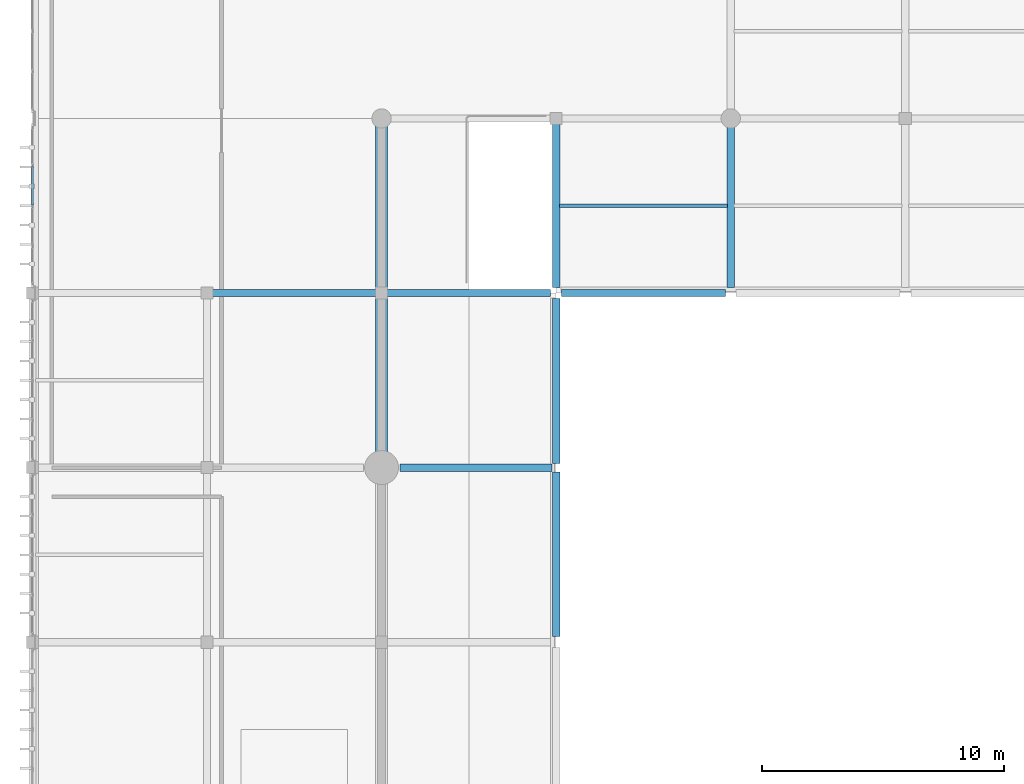
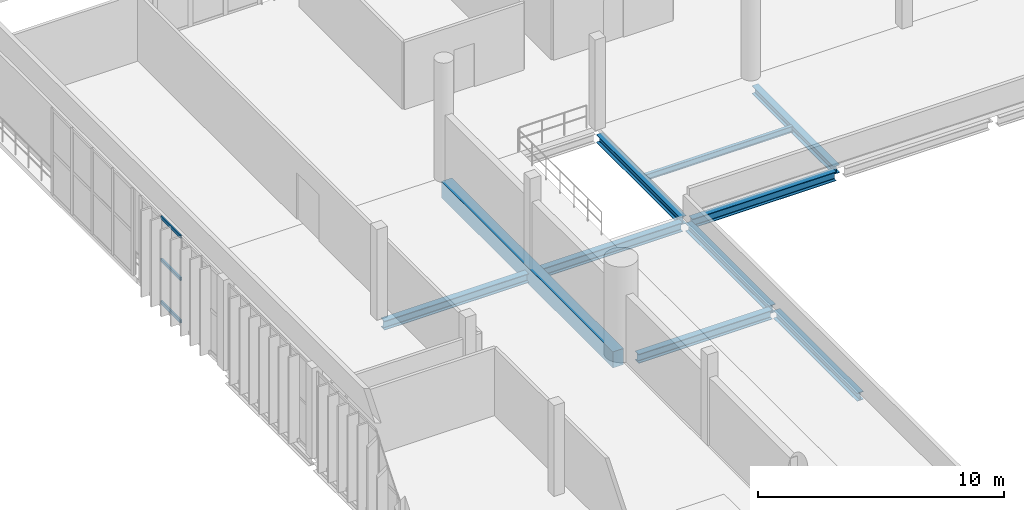
# One storey, part 28 of 64: 10 beams, 3 members, 1 element without a shape of its own.
"""IFC4 building model written with IfcOpenShell, lengths in metres."""

from ifc_helpers import new_model, si_unit, direction, frame, origin, origin_2d, place, context, subcontext, project, spatial, rectangle, hollow_rectangle, i_section, extrude, material, material_profile, profile_set, type_object, element, aggregate, save


model = new_model("IFC4")

# Units and contexts
model_context = context("Model", 3, precision=1e-05, world=origin(), true_north=direction((0.0, 1.0)))
body_context = subcontext(model_context, "Body", "Model", "MODEL_VIEW")
ifc_project = project(units=[si_unit("LENGTHUNIT", "METRE"), si_unit("AREAUNIT", "SQUARE_METRE"), si_unit("VOLUMEUNIT", "CUBIC_METRE"), si_unit("PLANEANGLEUNIT", "RADIAN"), si_unit("MASSUNIT", "GRAM", prefix="KILO")], contexts=[model_context])

# Site, building, storey
site_placement = place(None, origin())
site = spatial("IfcSite", under=ifc_project, at=site_placement, CompositionType="ELEMENT")
building_placement = place(site_placement, origin())
building = spatial("IfcBuilding", under=site, at=building_placement, Name="Qandorah Velis Arena", CompositionType="ELEMENT")
storey_placement = place(building_placement, frame((0.0, 0.0, 23.0)))
storey = spatial("IfcBuildingStorey", under=building, at=storey_placement, Name="L05", CompositionType="ELEMENT", Elevation=23.0)

# Curtain wall, members
ifc_material_1 = material(Name="Solar-control low-E double glazing", Category="glass")
curtain_wall_type = type_object("IfcCurtainWallType", Name="ARC-CW-SYS05", PredefinedType="USERDEFINED", material=ifc_material_1)
curtain_wall_placement = place(storey_placement, origin())
curtain_wall = element("IfcCurtainWall", 1, at=curtain_wall_placement, inside=storey, type_object=curtain_wall_type, Name="Unitised curtain wall L05-053", ObjectType="UNITISED CURTAIN WALL", PredefinedType="USERDEFINED")
ifc_material_2 = material(Name="Champagne-bronze anodized aluminium 6063-T6", Category="aluminium")
ifc_material_profile_1 = material_profile(ifc_material_2, hollow_rectangle(XDim=0.074951171875, YDim=0.159912109375, WallThickness=0.00341796875, at=origin_2d()), Name="ALU TRANSOM 75x160")
ifc_profile_set_1 = profile_set([ifc_material_profile_1], Name="Champagne-bronze anodized aluminium 6063-T6")
member_type = type_object("IfcMemberType", Name="ARC-CWT-160", PredefinedType="USERDEFINED", material=ifc_profile_set_1)
member_1_placement = place(storey_placement, frame((0.0, 111.62548828125, 0.03759765625), z_axis=(0.0, 1.0, 0.0), x_axis=(-1.0, 0.0, 0.0)))
member_1 = element("IfcMember", 2, at=member_1_placement, type_object=member_type, Name="CW05 transom 3.1", ObjectType="TRANSOM", PredefinedType="USERDEFINED", context=body_context, shape_type="SweptSolid", body=[
    extrude(hollow_rectangle(XDim=0.074951171875, YDim=0.159912109375, WallThickness=0.00341796875, at=origin_2d()), origin(), (0.0, 0.0, 1.0), 1.59912109375),
])
member_2_placement = place(storey_placement, frame((0.0, 111.62548828125, 2.139892578125), z_axis=(0.0, 1.0, 0.0), x_axis=(-1.0, 0.0, 0.0)))
member_2 = element("IfcMember", 3, at=member_2_placement, type_object=member_type, Name="CW05 transom 3.2", ObjectType="TRANSOM", PredefinedType="USERDEFINED", context=body_context, shape_type="SweptSolid", body=[
    extrude(hollow_rectangle(XDim=0.074951171875, YDim=0.159912109375, WallThickness=0.00341796875, at=origin_2d()), origin(), (0.0, 0.0, 1.0), 1.59912109375),
])
member_3_placement = place(storey_placement, frame((0.0, 111.62548828125, 4.242431640625), z_axis=(0.0, 1.0, 0.0), x_axis=(-1.0, 0.0, 0.0)))
member_3 = element("IfcMember", 4, at=member_3_placement, type_object=member_type, Name="CW05 transom 3.3", ObjectType="TRANSOM", PredefinedType="USERDEFINED", context=body_context, shape_type="SweptSolid", body=[
    extrude(hollow_rectangle(XDim=0.074951171875, YDim=0.159912109375, WallThickness=0.00341796875, at=origin_2d()), origin(), (0.0, 0.0, 1.0), 1.59912109375),
])
aggregate(curtain_wall, [member_1, member_2, member_3])

# Beams
ifc_material_3 = material(Name="Steel S355", Category="steel")
ifc_material_profile_2 = material_profile(ifc_material_3, i_section(OverallWidth=0.300048828125, OverallDepth=0.39990234375, WebThickness=0.013427734375, FlangeThickness=0.02392578125, FilletRadius=0.027099609375, at=origin_2d()), Name="HEB 400")
ifc_profile_set_2 = profile_set([ifc_material_profile_2], Name="Steel S355")
beam_type_1 = type_object("IfcBeamType", Name="STR-BM-HEB400", PredefinedType="BEAM", material=ifc_profile_set_2)
beam_1_placement = place(storey_placement, frame((21.60009765625, 93.824951171875, -0.449951171875), z_axis=(0.0, 1.0, 0.0), x_axis=(-1.0, 0.0, 0.0)))
element("IfcBeam", 5, at=beam_1_placement, inside=storey, type_object=beam_type_1, Name="Primary floor girder L05 Y-149", PredefinedType="BEAM", context=body_context, shape_type="SweptSolid", body=[
    extrude(i_section(OverallWidth=0.300048828125, OverallDepth=0.39990234375, WebThickness=0.013427734375, FlangeThickness=0.02392578125, FilletRadius=0.027099609375, at=origin_2d()), origin(), (0.0, 0.0, 1.0), 6.796630859375),
])
for number, where, z_axis, x_axis, name in (
    (6, (21.60009765625, 100.978515625, -0.449951171875), (0.0, 1.0, 0.0), (-1.0, 0.0, 0.0), "Primary floor girder L05 Y-150"),
    (7, (21.60009765625, 108.22509765625, -0.449951171875), (0.0, 1.0, 0.0), (-1.0, 0.0, 0.0), "Primary floor girder L05 Y-151"),
):
    element("IfcBeam", number, at=place(storey_placement, frame(where, z_axis=z_axis, x_axis=x_axis)), inside=storey, type_object=beam_type_1, Name=name, PredefinedType="BEAM", context=body_context, shape_type="SweptSolid", body=[
        extrude(i_section(OverallWidth=0.300048828125, OverallDepth=0.39990234375, WebThickness=0.013427734375, FlangeThickness=0.02392578125, FilletRadius=0.027099609375, at=origin_2d()), origin(), (0.0, 0.0, 1.0), 6.79638671875),
    ])
beam_2_placement = place(storey_placement, frame((28.800048828125, 108.22509765625, -0.449951171875), z_axis=(0.0, 1.0, 0.0), x_axis=(-1.0, 0.0, 0.0)))
element("IfcBeam", 8, at=beam_2_placement, inside=storey, type_object=beam_type_1, Name="Primary floor girder L05 Y-155", PredefinedType="BEAM", context=body_context, shape_type="SweptSolid", body=[
    extrude(i_section(OverallWidth=0.300048828125, OverallDepth=0.39990234375, WebThickness=0.013427734375, FlangeThickness=0.02392578125, FilletRadius=0.027099609375, at=origin_2d()), origin(), (0.0, 0.0, 1.0), 6.625),
])
ifc_material_profile_3 = material_profile(ifc_material_3, i_section(OverallWidth=0.300048828125, OverallDepth=0.449951171875, WebThickness=0.013916015625, FlangeThickness=0.02587890625, FilletRadius=0.027099609375, at=origin_2d()), Name="HEB 450")
ifc_profile_set_3 = profile_set([ifc_material_profile_3], Name="Steel S355")
beam_type_2 = type_object("IfcBeamType", Name="STR-BM-HEB450", PredefinedType="BEAM", material=ifc_profile_set_3)
beam_3_placement = place(storey_placement, frame((15.14990234375, 100.800048828125, -0.47509765625), z_axis=(1.0, 0.0, 0.0), x_axis=(0.0, 1.0, 0.0)))
element("IfcBeam", 9, at=beam_3_placement, inside=storey, type_object=beam_type_2, Name="Primary floor girder L05 X-072", PredefinedType="BEAM", context=body_context, shape_type="SweptSolid", body=[
    extrude(i_section(OverallWidth=0.300048828125, OverallDepth=0.449951171875, WebThickness=0.013916015625, FlangeThickness=0.02587890625, FilletRadius=0.027099609375, at=origin_2d()), origin(), (0.0, 0.0, 1.0), 6.271484375),
])
beam_4_placement = place(storey_placement, frame((7.37841796875, 108.0, -0.47509765625), z_axis=(1.0, 0.0, 0.0), x_axis=(0.0, 1.0, 0.0)))
element("IfcBeam", 10, at=beam_4_placement, inside=storey, type_object=beam_type_2, Name="Primary floor girder L05 X-074", PredefinedType="BEAM", context=body_context, shape_type="SweptSolid", body=[
    extrude(i_section(OverallWidth=0.300048828125, OverallDepth=0.449951171875, WebThickness=0.013916015625, FlangeThickness=0.02587890625, FilletRadius=0.027099609375, at=origin_2d()), origin(), (0.0, 0.0, 1.0), 6.843017578125),
])
beam_5_placement = place(storey_placement, frame((14.57861328125, 108.0, -0.47509765625), z_axis=(1.0, 0.0, 0.0), x_axis=(0.0, 1.0, 0.0)))
element("IfcBeam", 11, at=beam_5_placement, inside=storey, type_object=beam_type_2, Name="Primary floor girder L05 X-075", PredefinedType="BEAM", context=body_context, shape_type="SweptSolid", body=[
    extrude(i_section(OverallWidth=0.300048828125, OverallDepth=0.449951171875, WebThickness=0.013916015625, FlangeThickness=0.02587890625, FilletRadius=0.027099609375, at=origin_2d()), origin(), (0.0, 0.0, 1.0), 6.79638671875),
])
beam_6_placement = place(storey_placement, frame((21.824951171875, 108.0, -0.47509765625), z_axis=(1.0, 0.0, 0.0), x_axis=(0.0, 1.0, 0.0)))
element("IfcBeam", 12, at=beam_6_placement, inside=storey, type_object=beam_type_2, Name="Primary floor girder L05 X-076", PredefinedType="BEAM", context=body_context, shape_type="SweptSolid", body=[
    extrude(i_section(OverallWidth=0.300048828125, OverallDepth=0.449951171875, WebThickness=0.013916015625, FlangeThickness=0.02587890625, FilletRadius=0.027099609375, at=origin_2d()), origin(), (0.0, 0.0, 1.0), 6.75),
])
ifc_material_profile_4 = material_profile(ifc_material_3, i_section(OverallWidth=0.14990234375, OverallDepth=0.300048828125, WebThickness=0.007080078125, FlangeThickness=0.0107421875, FilletRadius=0.014892578125, at=origin_2d()), Name="IPE 300")
ifc_profile_set_4 = profile_set([ifc_material_profile_4], Name="Steel S355")
beam_type_3 = type_object("IfcBeamType", Name="STR-JST-IPE300", PredefinedType="JOIST", material=ifc_profile_set_4)
beam_7_placement = place(storey_placement, frame((21.735107421875, 111.60009765625, -0.39990234375), z_axis=(1.0, 0.0, 0.0), x_axis=(0.0, 1.0, 0.0)))
element("IfcBeam", 13, at=beam_7_placement, inside=storey, type_object=beam_type_3, Name="Secondary floor joist L05-010", PredefinedType="JOIST", context=body_context, shape_type="SweptSolid", body=[
    extrude(i_section(OverallWidth=0.14990234375, OverallDepth=0.300048828125, WebThickness=0.007080078125, FlangeThickness=0.0107421875, FilletRadius=0.014892578125, at=origin_2d()), origin(), (0.0, 0.0, 1.0), 6.929931640625),
])
ifc_material_4 = material(Name="Concrete C40/50", Category="concrete")
ifc_material_profile_5 = material_profile(ifc_material_4, rectangle(XDim=0.5, YDim=0.800048828125, at=origin_2d()), Name="RC BM 500x800")
ifc_profile_set_5 = profile_set([ifc_material_profile_5], Name="Concrete C40/50")
beam_type_4 = type_object("IfcBeamType", Name="STR-RCBM-500X800", PredefinedType="BEAM", material=ifc_profile_set_5)
beam_8_placement = place(storey_placement, frame((14.39990234375, 101.02001953125, -0.39990234375), z_axis=(0.0, 1.0, 0.0), x_axis=(-1.0, 0.0, 0.0)))
element("IfcBeam", 14, at=beam_8_placement, inside=storey, type_object=beam_type_4, Name="Drum west ring beam L05-7", PredefinedType="BEAM", context=body_context, shape_type="SweptSolid", body=[
    extrude(rectangle(XDim=0.5, YDim=0.800048828125, at=origin_2d()), origin(), (0.0, 0.0, 1.0), 13.9599609375),
])

save(model, "model.ifc")
